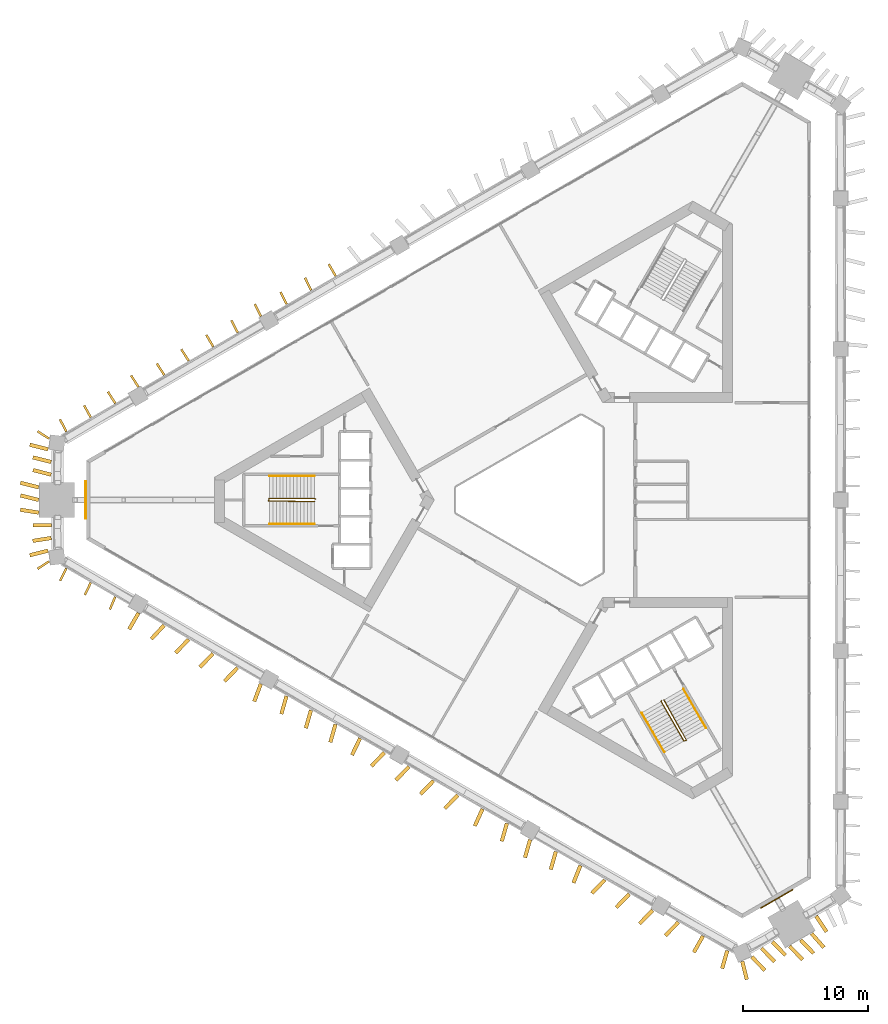
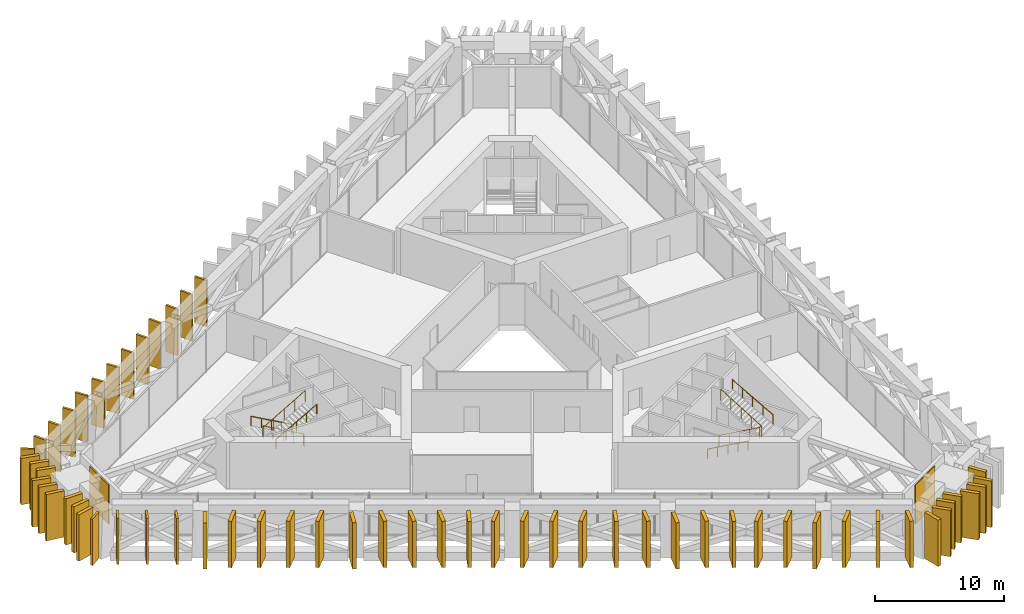
# One storey, part 17 of 18: 59 shading devices, 6 railings, 2 coverings.
"""IFC4 building model written with IfcOpenShell, lengths in metres."""

from ifc_helpers import new_model, si_unit, direction, frame, frame_2d, origin, origin_2d, place, context, subcontext, project, spatial, rectangle, circle, extrude, material, layer, layer_set, type_object, element, save


model = new_model("IFC4")

# Units and contexts
model_context = context("Model", 3, precision=1e-05, world=origin(), true_north=direction((0.0, 1.0)))
body_context = subcontext(model_context, "Body", "Model", "MODEL_VIEW")
ifc_project = project(units=[si_unit("LENGTHUNIT", "METRE"), si_unit("AREAUNIT", "SQUARE_METRE"), si_unit("VOLUMEUNIT", "CUBIC_METRE"), si_unit("PLANEANGLEUNIT", "RADIAN"), si_unit("MASSUNIT", "GRAM", prefix="KILO")], contexts=[model_context])

# Site, building, storey
site_placement = place(None, origin())
site = spatial("IfcSite", under=ifc_project, at=site_placement, CompositionType="ELEMENT")
building_placement = place(site_placement, origin())
building = spatial("IfcBuilding", under=site, at=building_placement, Name="Jabali Bay Hotel Tower and Convention Centre", CompositionType="ELEMENT")
storey_placement = place(building_placement, frame((0.0, 0.0, 52.89990234375)))
storey = spatial("IfcBuildingStorey", under=building, at=storey_placement, Name="L11", CompositionType="ELEMENT", Elevation=52.89990234375)

# Shading devices
ifc_material_1 = material(Name="Precast concrete C60", Category="concrete")
ifc_layer_1 = layer(ifc_material_1, 0.179931640625)
ifc_layer_set_1 = layer_set([ifc_layer_1], Name="Precast concrete C60")
shading_device_type_1 = type_object("IfcShadingDeviceType", Name="Precast fin 4380 x 1100", PredefinedType="USERDEFINED", material=ifc_layer_set_1)
for number, where, z_axis, x_axis, name in (
    (1, (58.1005859375, 97.942138671875, 0.010009765625), (0.0, 0.0, 1.0), (-0.503815825665, 0.863811098453, 0.0), "Fin L11 053"),
    (2, (56.1357421875, 96.81396484375, 0.010009765625), (0.0, 0.0, 1.0), (-0.444103724486, 0.895975380185, 0.0), "Fin L11 054"),
    (3, (54.173583984375, 95.68115234375, 0.010009765625), (0.0, 0.0, 1.0), (-0.442769298391, 0.89663557168, 0.0), "Fin L11 055"),
):
    element("IfcShadingDevice", number, at=place(storey_placement, frame(where, z_axis=z_axis, x_axis=x_axis)), inside=storey, type_object=shading_device_type_1, Name=name, ObjectType="FIN", PredefinedType="USERDEFINED", context=body_context, shape_type="SweptSolid", body=[
        extrude(rectangle(XDim=1.10009765625, YDim=0.179931640625, at=frame_2d((0.550048828125, 0.0))), origin(), (0.0, 0.0, 1.0), 4.380126953125),
    ])
shading_device_1_placement = place(storey_placement, frame((52.11181640625, 94.720703125, 0.010009765625), z_axis=(0.0, 0.0, 1.0), x_axis=(-0.451293437673, 0.892375612124, 0.0)))
element("IfcShadingDevice", 4, at=shading_device_1_placement, inside=storey, type_object=shading_device_type_1, Name="Fin L11 056", ObjectType="FIN", PredefinedType="USERDEFINED", context=body_context, shape_type="SweptSolid", body=[
    extrude(rectangle(XDim=1.099853515625, YDim=0.179931640625, at=frame_2d((0.5498046875, 0.0))), origin(), (0.0, 0.0, 1.0), 4.380126953125),
])
shading_device_2_placement = place(storey_placement, frame((50.25, 93.413818359375, 0.010009765625), z_axis=(0.0, 0.0, 1.0), x_axis=(-0.460744672911, 0.887532729754, 0.0)))
element("IfcShadingDevice", 5, at=shading_device_2_placement, inside=storey, type_object=shading_device_type_1, Name="Fin L11 057", ObjectType="FIN", PredefinedType="USERDEFINED", context=body_context, shape_type="SweptSolid", body=[
    extrude(rectangle(XDim=1.10009765625, YDim=0.179931640625, at=frame_2d((0.550048828125, 0.0))), origin(), (0.0, 0.0, 1.0), 4.380126953125),
])
shading_device_3_placement = place(storey_placement, frame((48.289794921875, 92.277587890625, 0.010009765625), z_axis=(0.0, 0.0, 1.0), x_axis=(-0.500554938957, 0.865704772475, 0.0)))
element("IfcShadingDevice", 6, at=shading_device_3_placement, inside=storey, type_object=shading_device_type_1, Name="Fin L11 058", ObjectType="FIN", PredefinedType="USERDEFINED", context=body_context, shape_type="SweptSolid", body=[
    extrude(rectangle(XDim=1.099853515625, YDim=0.179931640625, at=frame_2d((0.5498046875, 0.0))), origin(), (0.0, 0.0, 1.0), 4.380126953125),
])
shading_device_4_placement = place(storey_placement, frame((46.32568359375, 91.1484375, 0.010009765625), z_axis=(0.0, 0.0, 1.0), x_axis=(-0.541262221153, 0.840853856477, 0.0)))
element("IfcShadingDevice", 7, at=shading_device_4_placement, inside=storey, type_object=shading_device_type_1, Name="Fin L11 059", ObjectType="FIN", PredefinedType="USERDEFINED", context=body_context, shape_type="SweptSolid", body=[
    extrude(rectangle(XDim=1.10009765625, YDim=0.179931640625, at=frame_2d((0.550048828125, 0.0))), origin(), (0.0, 0.0, 1.0), 4.380126953125),
])
for number, where, z_axis, x_axis, name in (
    (8, (44.36328125, 90.015625, 0.010009765625), (0.0, 0.0, 1.0), (-0.542450380346, 0.840087843539, 0.0), "Fin L11 060"),
    (9, (42.30126953125, 89.055908203125, 0.010009765625), (0.0, 0.0, 1.0), (-0.542450380346, 0.840087843539, 0.0), "Fin L11 061"),
):
    element("IfcShadingDevice", number, at=place(storey_placement, frame(where, z_axis=z_axis, x_axis=x_axis)), inside=storey, type_object=shading_device_type_1, Name=name, ObjectType="FIN", PredefinedType="USERDEFINED", context=body_context, shape_type="SweptSolid", body=[
        extrude(rectangle(XDim=1.099853515625, YDim=0.179931640625, at=frame_2d((0.5498046875, 0.0))), origin(), (0.0, 0.0, 1.0), 4.380126953125),
    ])
shading_device_5_placement = place(storey_placement, frame((40.439453125, 87.749267578125, 0.010009765625), z_axis=(0.0, 0.0, 1.0), x_axis=(-0.536128628317, 0.844136300546, 0.0)))
element("IfcShadingDevice", 10, at=shading_device_5_placement, inside=storey, type_object=shading_device_type_1, Name="Fin L11 062", ObjectType="FIN", PredefinedType="USERDEFINED", context=body_context, shape_type="SweptSolid", body=[
    extrude(rectangle(XDim=1.10009765625, YDim=0.179931640625, at=frame_2d((0.550048828125, 0.0))), origin(), (0.0, 0.0, 1.0), 4.380126953125),
])
shading_device_6_placement = place(storey_placement, frame((38.478515625, 86.614501953125, 0.010009765625), z_axis=(0.0, 0.0, 1.0), x_axis=(-0.486980404602, 0.873412895218, 0.0)))
element("IfcShadingDevice", 11, at=shading_device_6_placement, inside=storey, type_object=shading_device_type_1, Name="Fin L11 063", ObjectType="FIN", PredefinedType="USERDEFINED", context=body_context, shape_type="SweptSolid", body=[
    extrude(rectangle(XDim=1.099853515625, YDim=0.179931640625, at=frame_2d((0.5498046875, 0.0))), origin(), (0.0, 0.0, 1.0), 4.380126953125),
])
for number, where, z_axis, x_axis, name in (
    (12, (36.5146484375, 85.484130859375, 0.010009765625), (0.0, 0.0, 1.0), (-0.456244563271, 0.889854425446, 0.0), "Fin L11 064"),
    (13, (36.51416015625, 74.514892578125, 0.010009765625), (0.0, 0.0, 1.0), (-0.445437179993, -0.89531319586, 0.0), "Fin L11 074"),
    (14, (38.475341796875, 73.38037109375, 0.010009765625), (0.0, 0.0, 1.0), (-0.427218003687, -0.904148647804, 0.0), "Fin L11 075"),
    (15, (40.435546875, 72.244140625, 0.010009765625), (0.0, 0.0, 1.0), (-0.38683626721, -0.922148416672, 0.0), "Fin L11 076"),
):
    element("IfcShadingDevice", number, at=place(storey_placement, frame(where, z_axis=z_axis, x_axis=x_axis)), inside=storey, type_object=shading_device_type_1, Name=name, ObjectType="FIN", PredefinedType="USERDEFINED", context=body_context, shape_type="SweptSolid", body=[
        extrude(rectangle(XDim=1.10009765625, YDim=0.179931640625, at=frame_2d((0.550048828125, 0.0))), origin(), (0.0, 0.0, 1.0), 4.380126953125),
    ])
shading_device_7_placement = place(storey_placement, frame((35.132568359375, 84.915771484375, 0.010009765625), z_axis=(0.0, 0.0, 1.0), x_axis=(-0.839921338324, 0.542708158616, 0.0)))
element("IfcShadingDevice", 16, at=shading_device_7_placement, inside=storey, type_object=shading_device_type_1, Name="Fin L11 114", ObjectType="FIN", PredefinedType="USERDEFINED", context=body_context, shape_type="SweptSolid", body=[
    extrude(rectangle(XDim=1.099853515625, YDim=0.179931640625, at=frame_2d((0.5498046875, 0.0))), origin(), (0.0, 0.0, 1.0), 4.380126953125),
])
shading_device_8_placement = place(storey_placement, frame((35.132080078125, 75.083984375, 0.010009765625), z_axis=(0.0, 0.0, 1.0), x_axis=(-0.835955648826, -0.548797005454, 0.0)))
element("IfcShadingDevice", 17, at=shading_device_8_placement, inside=storey, type_object=shading_device_type_1, Name="Fin L11 115", ObjectType="FIN", PredefinedType="USERDEFINED", context=body_context, shape_type="SweptSolid", body=[
    extrude(rectangle(XDim=1.10009765625, YDim=0.179931640625, at=frame_2d((0.550048828125, 0.0))), origin(), (0.0, 0.0, 1.0), 4.380126953125),
])
ifc_layer_2 = layer(ifc_material_1, 0.300048828125)
ifc_layer_set_2 = layer_set([ifc_layer_2], Name="Precast concrete C60")
shading_device_type_2 = type_object("IfcShadingDeviceType", Name="Precast fin 4380 x 1500", PredefinedType="USERDEFINED", material=ifc_layer_set_2)
shading_device_9_placement = place(storey_placement, frame((35.053466796875, 84.06005859375, 0.010009765625), z_axis=(0.0, 0.0, 1.0), x_axis=(-0.969661935485, 0.244449853491, 0.0)))
element("IfcShadingDevice", 18, at=shading_device_9_placement, inside=storey, type_object=shading_device_type_2, Name="Fin L11 065", ObjectType="FIN", PredefinedType="USERDEFINED", context=body_context, shape_type="SweptSolid", body=[
    extrude(rectangle(XDim=1.5, YDim=0.300048828125, at=frame_2d((0.75, 0.0))), origin(), (0.0, 0.0, 1.0), 4.380126953125),
])
shading_device_10_placement = place(storey_placement, frame((35.29931640625, 83.044921875, 0.010009765625), z_axis=(0.0, 0.0, 1.0), x_axis=(-0.969623347811, 0.244602868708, 0.0)))
element("IfcShadingDevice", 19, at=shading_device_10_placement, inside=storey, type_object=shading_device_type_2, Name="Fin L11 066", ObjectType="FIN", PredefinedType="USERDEFINED", context=body_context, shape_type="SweptSolid", body=[
    extrude(rectangle(XDim=1.500244140625, YDim=0.300048828125, at=frame_2d((0.75, 0.0))), origin(), (0.0, 0.0, 1.0), 4.380126953125),
])
for number, where, z_axis, x_axis, name in (
    (20, (35.29931640625, 82.030029296875, 0.010009765625), (0.0, 0.0, 1.0), (-0.969661935485, 0.244449853491, 0.0), "Fin L11 067"),
    (21, (34.300048828125, 81.014892578125, 0.010009765625), (0.0, 0.0, 1.0), (-0.969613608495, 0.244641472816, 0.0), "Fin L11 068"),
):
    element("IfcShadingDevice", number, at=place(storey_placement, frame(where, z_axis=z_axis, x_axis=x_axis)), inside=storey, type_object=shading_device_type_2, Name=name, ObjectType="FIN", PredefinedType="USERDEFINED", context=body_context, shape_type="SweptSolid", body=[
        extrude(rectangle(XDim=1.5, YDim=0.300048828125, at=frame_2d((0.75, 0.0))), origin(), (0.0, 0.0, 1.0), 4.380126953125),
    ])
shading_device_11_placement = place(storey_placement, frame((34.300048828125, 80.0, 0.010009765625), z_axis=(0.0, 0.0, 1.0), x_axis=(-0.969652207963, 0.244488436522, 0.0)))
element("IfcShadingDevice", 22, at=shading_device_11_placement, inside=storey, type_object=shading_device_type_2, Name="Fin L11 069", ObjectType="FIN", PredefinedType="USERDEFINED", context=body_context, shape_type="SweptSolid", body=[
    extrude(rectangle(XDim=1.499755859375, YDim=0.300048828125, at=frame_2d((0.75, 0.0))), origin(), (0.0, 0.0, 1.0), 4.380126953125),
])
for number, where, z_axis, x_axis, name in (
    (23, (34.3134765625, 78.985107421875, 0.010009765625), (0.0, 0.0, 1.0), (-0.987794617311, 0.155761978706, 0.0), "Fin L11 070"),
    (24, (35.33544921875, 77.969970703125, 0.010009765625), (0.0, 0.0, 1.0), (-0.999995708493, 0.002929674927, 0.0), "Fin L11 071"),
):
    element("IfcShadingDevice", number, at=place(storey_placement, frame(where, z_axis=z_axis, x_axis=x_axis)), inside=storey, type_object=shading_device_type_2, Name=name, ObjectType="FIN", PredefinedType="USERDEFINED", context=body_context, shape_type="SweptSolid", body=[
        extrude(rectangle(XDim=1.5, YDim=0.300048828125, at=frame_2d((0.75, 0.0))), origin(), (0.0, 0.0, 1.0), 4.380126953125),
    ])
shading_device_12_placement = place(storey_placement, frame((35.312744140625, 76.955078125, 0.010009765625), z_axis=(0.0, 0.0, 1.0), x_axis=(-0.988026767861, -0.154282552451, 0.0)))
element("IfcShadingDevice", 25, at=shading_device_12_placement, inside=storey, type_object=shading_device_type_2, Name="Fin L11 072", ObjectType="FIN", PredefinedType="USERDEFINED", context=body_context, shape_type="SweptSolid", body=[
    extrude(rectangle(XDim=1.500244140625, YDim=0.300048828125, at=frame_2d((0.75, 0.0))), origin(), (0.0, 0.0, 1.0), 4.380126953125),
])
shading_device_13_placement = place(storey_placement, frame((35.053466796875, 75.93994140625, 0.010009765625), z_axis=(0.0, 0.0, 1.0), x_axis=(-0.969661935485, -0.244449853491, 0.0)))
element("IfcShadingDevice", 26, at=shading_device_13_placement, inside=storey, type_object=shading_device_type_2, Name="Fin L11 073", ObjectType="FIN", PredefinedType="USERDEFINED", context=body_context, shape_type="SweptSolid", body=[
    extrude(rectangle(XDim=1.5, YDim=0.300048828125, at=frame_2d((0.75, 0.0))), origin(), (0.0, 0.0, 1.0), 4.380126953125),
])
shading_device_14_placement = place(storey_placement, frame((42.30322265625, 70.947509765625, 0.010009765625), z_axis=(0.0, 0.0, 1.0), x_axis=(-0.498416074981, -0.866937954066, 0.0)))
element("IfcShadingDevice", 27, at=shading_device_14_placement, inside=storey, type_object=shading_device_type_2, Name="Fin L11 077", ObjectType="FIN", PredefinedType="USERDEFINED", context=body_context, shape_type="SweptSolid", body=[
    extrude(rectangle(XDim=1.499755859375, YDim=0.300048828125, at=frame_2d((0.75, 0.0))), origin(), (0.0, 0.0, 1.0), 4.380126953125),
])
for number, where, z_axis, x_axis, name in (
    (28, (44.348876953125, 69.959228515625, 0.010009765625), (0.0, 0.0, 1.0), (-0.68033247707, -0.732903623025, 0.0), "Fin L11 078"),
    (29, (46.309814453125, 68.824462890625, 0.010009765625), (0.0, 0.0, 1.0), (-0.691725054953, -0.722160957371, 0.0), "Fin L11 079"),
    (30, (48.271728515625, 67.69091796875, 0.010009765625), (0.0, 0.0, 1.0), (-0.695291281718, -0.718728066495, 0.0), "Fin L11 080"),
    (31, (50.234130859375, 66.55859375, 0.010009765625), (0.0, 0.0, 1.0), (-0.692721536899, -0.721205152725, 0.0), "Fin L11 081"),
    (32, (52.10205078125, 65.26220703125, 0.010009765625), (0.0, 0.0, 1.0), (-0.349910332631, -0.9367831975, 0.0), "Fin L11 082"),
):
    element("IfcShadingDevice", number, at=place(storey_placement, frame(where, z_axis=z_axis, x_axis=x_axis)), inside=storey, type_object=shading_device_type_2, Name=name, ObjectType="FIN", PredefinedType="USERDEFINED", context=body_context, shape_type="SweptSolid", body=[
        extrude(rectangle(XDim=1.5, YDim=0.300048828125, at=frame_2d((0.75, 0.0))), origin(), (0.0, 0.0, 1.0), 4.380126953125),
    ])
for number, where, z_axis, x_axis, name in (
    (33, (54.158203125, 64.292236328125, 0.010009765625), (0.0, 0.0, 1.0), (-0.273237732518, -0.96194653777, 0.0), "Fin L11 083"),
    (34, (56.120361328125, 63.159423828125, 0.010009765625), (0.0, 0.0, 1.0), (-0.273087133961, -0.961989302053, 0.0), "Fin L11 084"),
):
    element("IfcShadingDevice", number, at=place(storey_placement, frame(where, z_axis=z_axis, x_axis=x_axis)), inside=storey, type_object=shading_device_type_2, Name=name, ObjectType="FIN", PredefinedType="USERDEFINED", context=body_context, shape_type="SweptSolid", body=[
        extrude(rectangle(XDim=1.500244140625, YDim=0.300048828125, at=frame_2d((0.75, 0.0))), origin(), (0.0, 0.0, 1.0), 4.380126953125),
    ])
shading_device_15_placement = place(storey_placement, frame((58.08251953125, 62.0263671875, 0.010009765625), z_axis=(0.0, 0.0, 1.0), x_axis=(-0.273129894781, -0.961977162191, 0.0)))
element("IfcShadingDevice", 35, at=shading_device_15_placement, inside=storey, type_object=shading_device_type_2, Name="Fin L11 085", ObjectType="FIN", PredefinedType="USERDEFINED", context=body_context, shape_type="SweptSolid", body=[
    extrude(rectangle(XDim=1.5, YDim=0.300048828125, at=frame_2d((0.75, 0.0))), origin(), (0.0, 0.0, 1.0), 4.380126953125),
])
shading_device_16_placement = place(storey_placement, frame((60.05712890625, 60.915283203125, 0.010009765625), z_axis=(0.0, 0.0, 1.0), x_axis=(-0.432175339096, -0.901789596457, 0.0)))
element("IfcShadingDevice", 36, at=shading_device_16_placement, inside=storey, type_object=shading_device_type_2, Name="Fin L11 086", ObjectType="FIN", PredefinedType="USERDEFINED", context=body_context, shape_type="SweptSolid", body=[
    extrude(rectangle(XDim=1.499755859375, YDim=0.300048828125, at=frame_2d((0.75, 0.0))), origin(), (0.0, 0.0, 1.0), 4.380126953125),
])
for number, where, z_axis, x_axis, name in (
    (37, (62.0068359375, 59.7607421875, 0.010009765625), (0.0, 0.0, 1.0), (-0.696613402281, -0.717446700293, 0.0), "Fin L11 087"),
    (38, (63.968994140625, 58.6279296875, 0.010009765625), (0.0, 0.0, 1.0), (-0.696613402281, -0.717446700293, 0.0), "Fin L11 088"),
):
    element("IfcShadingDevice", number, at=place(storey_placement, frame(where, z_axis=z_axis, x_axis=x_axis)), inside=storey, type_object=shading_device_type_2, Name=name, ObjectType="FIN", PredefinedType="USERDEFINED", context=body_context, shape_type="SweptSolid", body=[
        extrude(rectangle(XDim=1.5, YDim=0.300048828125, at=frame_2d((0.75, 0.0))), origin(), (0.0, 0.0, 1.0), 4.380126953125),
    ])
for number, where, z_axis, x_axis, name in (
    (39, (65.93115234375, 57.4951171875, 0.010009765625), (0.0, 0.0, 1.0), (-0.696532062554, -0.717525669112, 0.0), "Fin L11 089"),
    (40, (67.893310546875, 56.3623046875, 0.010009765625), (0.0, 0.0, 1.0), (-0.696532062554, -0.717525669112, 0.0), "Fin L11 090"),
):
    element("IfcShadingDevice", number, at=place(storey_placement, frame(where, z_axis=z_axis, x_axis=x_axis)), inside=storey, type_object=shading_device_type_2, Name=name, ObjectType="FIN", PredefinedType="USERDEFINED", context=body_context, shape_type="SweptSolid", body=[
        extrude(rectangle(XDim=1.500244140625, YDim=0.300048828125, at=frame_2d((0.75, 0.0))), origin(), (0.0, 0.0, 1.0), 4.380126953125),
    ])
for number, where, z_axis, x_axis, name in (
    (41, (69.866455078125, 55.248291015625, 0.010009765625), (0.0, 0.0, 1.0), (-0.411913738077, -0.911222844525, 0.0), "Fin L11 091"),
    (42, (71.817626953125, 54.096435546875, 0.010009765625), (0.0, 0.0, 1.0), (-0.273129894781, -0.961977162191, 0.0), "Fin L11 092"),
    (43, (73.679931640625, 52.79052734375, 0.010009765625), (0.0, 0.0, 1.0), (-0.273129894781, -0.961977162191, 0.0), "Fin L11 093"),
):
    element("IfcShadingDevice", number, at=place(storey_placement, frame(where, z_axis=z_axis, x_axis=x_axis)), inside=storey, type_object=shading_device_type_2, Name=name, ObjectType="FIN", PredefinedType="USERDEFINED", context=body_context, shape_type="SweptSolid", body=[
        extrude(rectangle(XDim=1.5, YDim=0.300048828125, at=frame_2d((0.75, 0.0))), origin(), (0.0, 0.0, 1.0), 4.380126953125),
    ])
shading_device_17_placement = place(storey_placement, frame((75.741943359375, 51.830810546875, 0.010009765625), z_axis=(0.0, 0.0, 1.0), x_axis=(-0.273087133961, -0.961989302053, 0.0)))
element("IfcShadingDevice", 44, at=shading_device_17_placement, inside=storey, type_object=shading_device_type_2, Name="Fin L11 094", ObjectType="FIN", PredefinedType="USERDEFINED", context=body_context, shape_type="SweptSolid", body=[
    extrude(rectangle(XDim=1.500244140625, YDim=0.300048828125, at=frame_2d((0.75, 0.0))), origin(), (0.0, 0.0, 1.0), 4.380126953125),
])
for number, where, z_axis, x_axis, name in (
    (45, (77.7119140625, 50.711669921875, 0.010009765625), (0.0, 0.0, 1.0), (-0.375176108426, -0.926953552054, 0.0), "Fin L11 095"),
    (46, (79.66650390625, 49.565673828125, 0.010009765625), (0.0, 0.0, 1.0), (-0.693635431925, -0.720326236908, 0.0), "Fin L11 096"),
    (47, (81.62841796875, 48.43212890625, 0.010009765625), (0.0, 0.0, 1.0), (-0.696613402281, -0.717446700293, 0.0), "Fin L11 097"),
    (48, (83.490478515625, 47.126220703125, 0.010009765625), (0.0, 0.0, 1.0), (-0.696448262157, -0.717607008145, 0.0), "Fin L11 098"),
    (49, (85.552734375, 46.16650390625, 0.010009765625), (0.0, 0.0, 1.0), (-0.696448262157, -0.717607008145, 0.0), "Fin L11 099"),
    (50, (87.532470703125, 45.064208984375, 0.010009765625), (0.0, 0.0, 1.0), (-0.491504787157, -0.870874872873, 0.0), "Fin L11 100"),
    (51, (89.47705078125, 43.90087890625, 0.010009765625), (0.0, 0.0, 1.0), (-0.273431111351, -0.961891588146, 0.0), "Fin L11 101"),
):
    element("IfcShadingDevice", number, at=place(storey_placement, frame(where, z_axis=z_axis, x_axis=x_axis)), inside=storey, type_object=shading_device_type_2, Name=name, ObjectType="FIN", PredefinedType="USERDEFINED", context=body_context, shape_type="SweptSolid", body=[
        extrude(rectangle(XDim=1.5, YDim=0.300048828125, at=frame_2d((0.75, 0.0))), origin(), (0.0, 0.0, 1.0), 4.380126953125),
    ])
shading_device_18_placement = place(storey_placement, frame((91.450927734375, 43.38623046875, 0.010009765625), z_axis=(0.0, 0.0, 1.0), x_axis=(0.696529610542, -0.717528049374, 0.0)))
element("IfcShadingDevice", 52, at=shading_device_18_placement, inside=storey, type_object=shading_device_type_2, Name="Fin L11 102", ObjectType="FIN", PredefinedType="USERDEFINED", context=body_context, shape_type="SweptSolid", body=[
    extrude(rectangle(XDim=1.499755859375, YDim=0.300048828125, at=frame_2d((0.75, 0.0))), origin(), (0.0, 0.0, 1.0), 4.380126953125),
])
for number, where, z_axis, x_axis, name in (
    (53, (92.21337890625, 44.095703125, 0.010009765625), (0.0, 0.0, 1.0), (0.696448262157, -0.717607008145, 0.0), "Fin L11 103"),
    (54, (93.09228515625, 44.60302734375, 0.010009765625), (0.0, 0.0, 1.0), (0.696613402281, -0.717446700293, 0.0), "Fin L11 104"),
    (55, (94.470947265625, 44.245361328125, 0.010009765625), (0.0, 0.0, 1.0), (0.696613402281, -0.717446700293, 0.0), "Fin L11 105"),
):
    element("IfcShadingDevice", number, at=place(storey_placement, frame(where, z_axis=z_axis, x_axis=x_axis)), inside=storey, type_object=shading_device_type_2, Name=name, ObjectType="FIN", PredefinedType="USERDEFINED", context=body_context, shape_type="SweptSolid", body=[
        extrude(rectangle(XDim=1.5, YDim=0.300048828125, at=frame_2d((0.75, 0.0))), origin(), (0.0, 0.0, 1.0), 4.380126953125),
    ])
for number, where, z_axis, x_axis, name in (
    (56, (95.349853515625, 44.7529296875, 0.010009765625), (0.0, 0.0, 1.0), (0.696532062554, -0.717525669112, 0.0), "Fin L11 106"),
    (57, (96.2255859375, 45.26611328125, 0.010009765625), (0.0, 0.0, 1.0), (0.663353083876, -0.74830654555, 0.0), "Fin L11 107"),
    (58, (96.59521484375, 46.656005859375, 0.010009765625), (0.0, 0.0, 1.0), (0.558524975684, -0.829487704271, 0.0), "Fin L11 108"),
):
    element("IfcShadingDevice", number, at=place(storey_placement, frame(where, z_axis=z_axis, x_axis=x_axis)), inside=storey, type_object=shading_device_type_2, Name=name, ObjectType="FIN", PredefinedType="USERDEFINED", context=body_context, shape_type="SweptSolid", body=[
        extrude(rectangle(XDim=1.500244140625, YDim=0.300048828125, at=frame_2d((0.75, 0.0))), origin(), (0.0, 0.0, 1.0), 4.380126953125),
    ])
shading_device_19_placement = place(storey_placement, frame((90.676513671875, 43.032958984375, 0.010009765625), z_axis=(0.0, 0.0, 1.0), x_axis=(0.243837610071, -0.969816075302, 0.0)))
element("IfcShadingDevice", 59, at=shading_device_19_placement, inside=storey, type_object=shading_device_type_2, Name="Fin L11 116", ObjectType="FIN", PredefinedType="USERDEFINED", context=body_context, shape_type="SweptSolid", body=[
    extrude(rectangle(XDim=1.499755859375, YDim=0.300048828125, at=frame_2d((0.75, 0.0))), origin(), (0.0, 0.0, 1.0), 4.380126953125),
])

# Coverings
ifc_material_2 = material(Name="Precast concrete C40/50", Category="concrete")
ifc_layer_3 = layer(ifc_material_2, 0.080078125)
ifc_layer_set_3 = layer_set([ifc_layer_3], Name="Precast concrete C40/50")
covering_type = type_object("IfcCoveringType", Name="Relief panel 3000 x 3700", PredefinedType="CLADDING", material=ifc_layer_set_3)
for number, where, z_axis, x_axis, name in (
    (60, (38.095947265625, 80.0, 0.10009765625), (0.0, 0.0, 1.0), (0.0, 1.0, 0.0), "Relief panel L11"),
    (61, (93.4521484375, 48.0400390625, 0.10009765625), (0.0, 0.0, 1.0), (-0.866025390415, -0.500000023156, 0.0), "Relief panel L11"),
):
    element("IfcCovering", number, at=place(storey_placement, frame(where, z_axis=z_axis, x_axis=x_axis)), inside=storey, type_object=covering_type, Name=name, PredefinedType="CLADDING", context=body_context, shape_type="SweptSolid", body=[
        extrude(rectangle(XDim=3.0, YDim=0.080078125, at=origin_2d()), origin(), (0.0, 0.0, 1.0), 3.699951171875),
    ])

# Railings
ifc_material_3 = material(Name="Steel Q355B", Category="steel")
railing_type_1 = type_object("IfcRailingType", Name="Stair guard 1100", PredefinedType="GUARDRAIL", material=ifc_material_3)
railing_1_placement = place(storey_placement, frame((56.469970703125, 80.074951171875, 0.0)))
element("IfcRailing", 62, at=railing_1_placement, inside=storey, type_object=railing_type_1, Name="L11 ST1 stair guard 1", PredefinedType="GUARDRAIL", context=body_context, shape_type="SweptSolid", body=[
    extrude(circle(Radius=0.02392578125, at=origin_2d()), frame((0.0, 0.0, 1.076171875), z_axis=(-0.290266377826, 0.290266377826, 0.911861206439), x_axis=(-0.707106781187, -0.707106781187, 0.0)), (0.0, 0.0, 1.0), 0.17236328125),
    extrude(circle(Radius=0.02392578125, at=origin_2d()), frame((-0.050048828125, 0.050048828125, 1.2333984375), z_axis=(-0.872032840091, 0.0, 0.489447367756), x_axis=(0.0, -1.0, 0.0)), (0.0, 0.0, 1.0), 4.174072265625),
    extrude(circle(Radius=0.02392578125, at=origin_2d()), frame((-3.68994140625, 0.050048828125, 3.2763671875), z_axis=(-0.242814311512, -0.970072785993, 0.0), x_axis=(0.970072785993, -0.242814311512, 0.0)), (0.0, 0.0, 1.0), 0.2060546875),
    extrude(circle(Radius=0.02392578125, at=origin_2d()), frame((-3.739990234375, -0.14990234375, 3.2763671875), z_axis=(0.858870423873, -0.011649360652, 0.512060433341), x_axis=(0.013562335953, 0.999908027292, 0.0)), (0.0, 0.0, 1.0), 4.29638671875),
    extrude(circle(Radius=0.02099609375, at=origin_2d()), origin(), (0.0, 0.0, 1.0), 1.052001953125),
    extrude(circle(Radius=0.02099609375, at=origin_2d()), frame((-0.050048828125, 0.050048828125, 0.1572265625)), (0.0, 0.0, 1.0), 1.052001953125),
    extrude(circle(Radius=0.02099609375, at=origin_2d()), frame((-0.9599609375, 0.050048828125, 0.66796875)), (0.0, 0.0, 1.0), 1.052001953125),
    extrude(circle(Radius=0.02099609375, at=origin_2d()), frame((-1.8701171875, 0.050048828125, 1.1787109375)), (0.0, 0.0, 1.0), 1.052001953125),
    extrude(circle(Radius=0.02099609375, at=origin_2d()), frame((-2.780029296875, 0.050048828125, 1.689453125)), (0.0, 0.0, 1.0), 1.052001953125),
    extrude(circle(Radius=0.02099609375, at=origin_2d()), frame((-3.68994140625, 0.050048828125, 2.2001953125)), (0.0, 0.0, 1.0), 1.052001953125),
    extrude(circle(Radius=0.02099609375, at=origin_2d()), frame((-3.739990234375, -0.14990234375, 2.2001953125)), (0.0, 0.0, 1.0), 1.052001953125),
    extrude(circle(Radius=0.02099609375, at=origin_2d()), frame((-2.8173828125, -0.162353515625, 2.750244140625)), (0.0, 0.0, 1.0), 1.052001953125),
    extrude(circle(Radius=0.02099609375, at=origin_2d()), frame((-1.89501953125, -0.1748046875, 3.30029296875)), (0.0, 0.0, 1.0), 1.052001953125),
    extrude(circle(Radius=0.02099609375, at=origin_2d()), frame((-0.97265625, -0.1875, 3.85009765625)), (0.0, 0.0, 1.0), 1.052001953125),
    extrude(circle(Radius=0.02099609375, at=origin_2d()), frame((-0.050048828125, -0.199951171875, 4.400146484375)), (0.0, 0.0, 1.0), 1.052001953125),
])
railing_2_placement = place(storey_placement, frame((84.199951171875, 63.9150390625, 0.0)))
element("IfcRailing", 63, at=railing_2_placement, inside=storey, type_object=railing_type_1, Name="L11 ST3 stair guard 1", PredefinedType="GUARDRAIL", context=body_context, shape_type="SweptSolid", body=[
    extrude(circle(Radius=0.02392578125, at=origin_2d()), frame((0.0, 0.0, 1.076171875), z_axis=(-0.106197677715, -0.396471330136, 0.911884059312), x_axis=(0.965948051503, -0.258736085224, 0.0)), (0.0, 0.0, 1.0), 0.17236328125),
    extrude(circle(Radius=0.02392578125, at=origin_2d()), frame((-0.018310546875, -0.068359375, 1.2333984375), z_axis=(0.436031875999, -0.75520369992, 0.489431889787), x_axis=(0.866018046521, 0.500012742938, 0.0)), (0.0, 0.0, 1.0), 4.174072265625),
    extrude(circle(Radius=0.02392578125, at=origin_2d()), frame((1.8017578125, -3.220703125, 3.2763671875), z_axis=(0.96121063429, 0.275815366736, 0.0), x_axis=(-0.275815366736, 0.96121063429, 0.0)), (0.0, 0.0, 1.0), 0.206298828125),
    extrude(circle(Radius=0.02392578125, at=origin_2d()), frame((2.0, -3.163818359375, 3.2763671875), z_axis=(-0.419382495405, 0.749603590364, 0.512067163428), x_axis=(-0.872702246529, -0.488252792008, 0.0)), (0.0, 0.0, 1.0), 4.296142578125),
    extrude(circle(Radius=0.02099609375, at=origin_2d()), origin(), (0.0, 0.0, 1.0), 1.052001953125),
    extrude(circle(Radius=0.02099609375, at=origin_2d()), frame((-0.018310546875, -0.068359375, 0.1572265625)), (0.0, 0.0, 1.0), 1.052001953125),
    extrude(circle(Radius=0.02099609375, at=origin_2d()), frame((0.436767578125, -0.8564453125, 0.66796875)), (0.0, 0.0, 1.0), 1.052001953125),
    extrude(circle(Radius=0.02099609375, at=origin_2d()), frame((0.8916015625, -1.64453125, 1.1787109375)), (0.0, 0.0, 1.0), 1.052001953125),
    extrude(circle(Radius=0.02099609375, at=origin_2d()), frame((1.3466796875, -2.4326171875, 1.689453125)), (0.0, 0.0, 1.0), 1.052001953125),
    extrude(circle(Radius=0.02099609375, at=origin_2d()), frame((1.8017578125, -3.220703125, 2.2001953125)), (0.0, 0.0, 1.0), 1.052001953125),
    extrude(circle(Radius=0.02099609375, at=origin_2d()), frame((2.0, -3.163818359375, 2.2001953125)), (0.0, 0.0, 1.0), 1.052001953125),
    extrude(circle(Radius=0.02099609375, at=origin_2d()), frame((1.549560546875, -2.358642578125, 2.750244140625)), (0.0, 0.0, 1.0), 1.052001953125),
    extrude(circle(Radius=0.02099609375, at=origin_2d()), frame((1.09912109375, -1.5537109375, 3.30029296875)), (0.0, 0.0, 1.0), 1.052001953125),
    extrude(circle(Radius=0.02099609375, at=origin_2d()), frame((0.648681640625, -0.74853515625, 3.85009765625)), (0.0, 0.0, 1.0), 1.052001953125),
    extrude(circle(Radius=0.02099609375, at=origin_2d()), frame((0.1982421875, 0.056640625, 4.400146484375)), (0.0, 0.0, 1.0), 1.052001953125),
])
railing_type_2 = type_object("IfcRailingType", Name="Stair handrail 900", PredefinedType="HANDRAIL", material=ifc_material_3)
railing_3_placement = place(storey_placement, frame((56.419921875, 81.925048828125, 0.1572265625)))
element("IfcRailing", 64, at=railing_3_placement, inside=storey, type_object=railing_type_2, Name="L11 ST1 stair handrail 1", PredefinedType="HANDRAIL", context=body_context, shape_type="SweptSolid", body=[
    extrude(circle(Radius=0.02392578125, at=origin_2d()), frame((0.0, 0.0, 0.8759765625), z_axis=(-0.872032840091, 0.0, 0.489447367756), x_axis=(0.0, -1.0, 0.0)), (0.0, 0.0, 1.0), 4.174072265625),
    extrude(circle(Radius=0.02099609375, at=origin_2d()), origin(), (0.0, 0.0, 1.0), 0.851806640625),
    extrude(circle(Radius=0.02099609375, at=origin_2d()), frame((-0.909912109375, 0.0, 0.5107421875)), (0.0, 0.0, 1.0), 0.851806640625),
    extrude(circle(Radius=0.02099609375, at=origin_2d()), frame((-1.81982421875, 0.0, 1.021484375)), (0.0, 0.0, 1.0), 0.851806640625),
    extrude(circle(Radius=0.02099609375, at=origin_2d()), frame((-2.72998046875, 0.0, 1.5322265625)), (0.0, 0.0, 1.0), 0.851806640625),
    extrude(circle(Radius=0.02099609375, at=origin_2d()), frame((-3.639892578125, 0.0, 2.04296875)), (0.0, 0.0, 1.0), 0.851806640625),
])
railing_4_placement = place(storey_placement, frame((52.780029296875, 78.074951171875, 2.357177734375)))
element("IfcRailing", 65, at=railing_4_placement, inside=storey, type_object=railing_type_2, Name="L11 ST1 stair handrail 2", PredefinedType="HANDRAIL", context=body_context, shape_type="SweptSolid", body=[
    extrude(circle(Radius=0.02392578125, at=origin_2d()), frame((0.0, 0.0, 0.8759765625), z_axis=(0.872032840091, 0.0, 0.489447367756), x_axis=(0.0, 1.0, 0.0)), (0.0, 0.0, 1.0), 4.174072265625),
    extrude(circle(Radius=0.02099609375, at=origin_2d()), origin(), (0.0, 0.0, 1.0), 0.851806640625),
    extrude(circle(Radius=0.02099609375, at=origin_2d()), frame((0.909912109375, 0.0, 0.5107421875)), (0.0, 0.0, 1.0), 0.851806640625),
    extrude(circle(Radius=0.02099609375, at=origin_2d()), frame((1.81982421875, 0.0, 1.021484375)), (0.0, 0.0, 1.0), 0.851806640625),
    extrude(circle(Radius=0.02099609375, at=origin_2d()), frame((2.72998046875, 0.0, 1.5322265625)), (0.0, 0.0, 1.0), 0.851806640625),
    extrude(circle(Radius=0.02099609375, at=origin_2d()), frame((3.639892578125, 0.0, 2.04296875)), (0.0, 0.0, 1.0), 0.851806640625),
])
railing_5_placement = place(storey_placement, frame((82.622802734375, 62.94677734375, 0.1572265625)))
element("IfcRailing", 66, at=railing_5_placement, inside=storey, type_object=railing_type_2, Name="L11 ST3 stair handrail 1", PredefinedType="HANDRAIL", context=body_context, shape_type="SweptSolid", body=[
    extrude(circle(Radius=0.02392578125, at=origin_2d()), frame((0.0, 0.0, 0.8759765625), z_axis=(0.436031875999, -0.75520369992, 0.489431889787), x_axis=(0.866018046521, 0.500012742938, 0.0)), (0.0, 0.0, 1.0), 4.174072265625),
    extrude(circle(Radius=0.02099609375, at=origin_2d()), origin(), (0.0, 0.0, 1.0), 0.851806640625),
    extrude(circle(Radius=0.02099609375, at=origin_2d()), frame((0.455078125, -0.7880859375, 0.5107421875)), (0.0, 0.0, 1.0), 0.851806640625),
    extrude(circle(Radius=0.02099609375, at=origin_2d()), frame((0.91015625, -1.576171875, 1.021484375)), (0.0, 0.0, 1.0), 0.851806640625),
    extrude(circle(Radius=0.02099609375, at=origin_2d()), frame((1.364990234375, -2.3642578125, 1.5322265625)), (0.0, 0.0, 1.0), 0.851806640625),
    extrude(circle(Radius=0.02099609375, at=origin_2d()), frame((1.820068359375, -3.15234375, 2.04296875)), (0.0, 0.0, 1.0), 0.851806640625),
])
railing_6_placement = place(storey_placement, frame((87.777099609375, 61.719482421875, 2.357177734375)))
element("IfcRailing", 67, at=railing_6_placement, inside=storey, type_object=railing_type_2, Name="L11 ST3 stair handrail 2", PredefinedType="HANDRAIL", context=body_context, shape_type="SweptSolid", body=[
    extrude(circle(Radius=0.02392578125, at=origin_2d()), frame((0.0, 0.0, 0.8759765625), z_axis=(-0.436031875999, 0.75520369992, 0.489431889787), x_axis=(-0.866018046521, -0.500012742938, 0.0)), (0.0, 0.0, 1.0), 4.174072265625),
    extrude(circle(Radius=0.02099609375, at=origin_2d()), origin(), (0.0, 0.0, 1.0), 0.851806640625),
    extrude(circle(Radius=0.02099609375, at=origin_2d()), frame((-0.455078125, 0.7880859375, 0.5107421875)), (0.0, 0.0, 1.0), 0.851806640625),
    extrude(circle(Radius=0.02099609375, at=origin_2d()), frame((-0.91015625, 1.576171875, 1.021484375)), (0.0, 0.0, 1.0), 0.851806640625),
    extrude(circle(Radius=0.02099609375, at=origin_2d()), frame((-1.364990234375, 2.3642578125, 1.5322265625)), (0.0, 0.0, 1.0), 0.851806640625),
    extrude(circle(Radius=0.02099609375, at=origin_2d()), frame((-1.820068359375, 3.15234375, 2.04296875)), (0.0, 0.0, 1.0), 0.851806640625),
])

save(model, "model.ifc")
